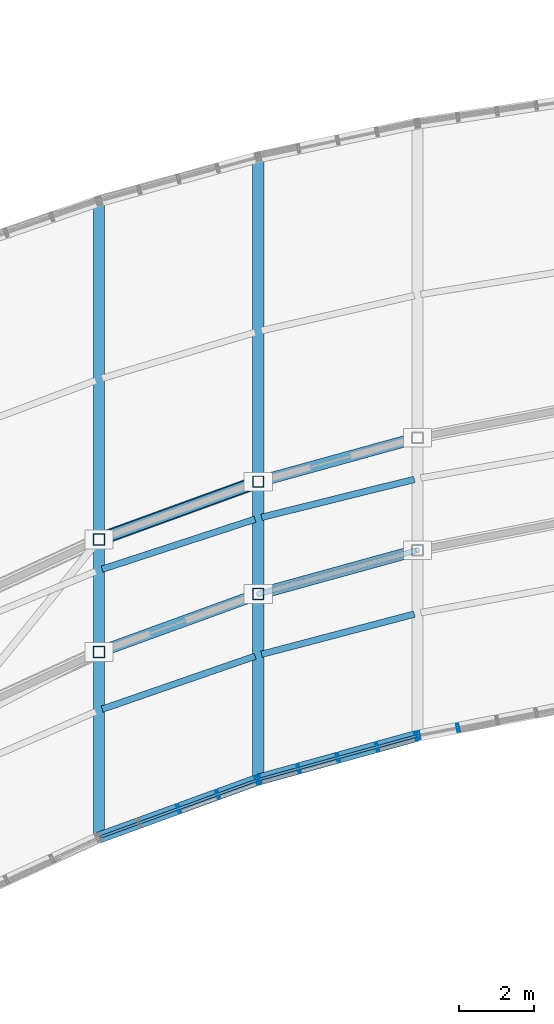
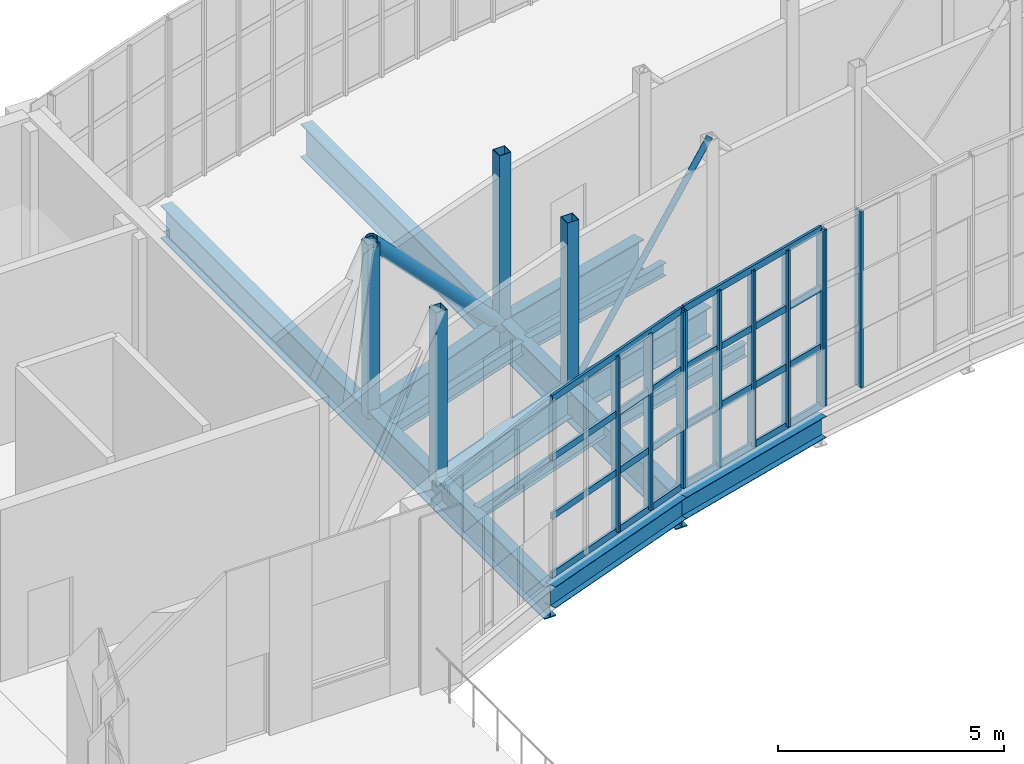
# One storey, part 35 of 86: 24 members, 12 beams, 3 elements without a shape of their own.
"""IFC4 building model written with IfcOpenShell, lengths in metres."""

from ifc_helpers import new_model, si_unit, direction, frame, origin, origin_2d, place, context, subcontext, project, spatial, hollow_rectangle, hollow_circle, i_section, extrude, material, material_profile, profile_set, type_object, element, aggregate, save


model = new_model("IFC4")

# Units and contexts
model_context = context("Model", 3, precision=1e-05, world=origin(), true_north=direction((0.0, 1.0)))
body_context = subcontext(model_context, "Body", "Model", "MODEL_VIEW")
ifc_project = project(units=[si_unit("LENGTHUNIT", "METRE"), si_unit("AREAUNIT", "SQUARE_METRE"), si_unit("VOLUMEUNIT", "CUBIC_METRE"), si_unit("PLANEANGLEUNIT", "RADIAN"), si_unit("MASSUNIT", "GRAM", prefix="KILO")], contexts=[model_context])

# Site, building, storey
site_placement = place(None, origin())
site = spatial("IfcSite", under=ifc_project, at=site_placement, CompositionType="ELEMENT")
building_placement = place(site_placement, origin())
building = spatial("IfcBuilding", under=site, at=building_placement, Name="Solvikara Media Centre", CompositionType="ELEMENT")
storey_placement = place(building_placement, frame((0.0, 0.0, 15.0)))
storey = spatial("IfcBuildingStorey", under=building, at=storey_placement, Name="L03", CompositionType="ELEMENT", Elevation=15.0)

# Beams
ifc_material_1 = material(Name="Steel S355JR", Category="steel")
ifc_material_profile_1 = material_profile(ifc_material_1, i_section(OverallWidth=0.300048828125, OverallDepth=0.89990234375, WebThickness=0.01611328125, FlangeThickness=0.028076171875, at=origin_2d()), Name="WF 900x300x16x28")
ifc_profile_set_1 = profile_set([ifc_material_profile_1], Name="Steel S355JR")
beam_type_1 = type_object("IfcBeamType", Name="BM-15", PredefinedType="BEAM", material=ifc_profile_set_1)
beam_1_placement = place(storey_placement, frame((80.75, 21.279052734375, -0.672119140625), z_axis=(0.0, 1.0, 0.0), x_axis=(-1.0, 0.0, 0.0)))
element("IfcBeam", 1, at=beam_1_placement, inside=storey, type_object=beam_type_1, Name="BG-L03-NS-01", PredefinedType="BEAM", context=body_context, shape_type="SweptSolid", body=[
    extrude(i_section(OverallWidth=0.300048828125, OverallDepth=0.89990234375, WebThickness=0.01611328125, FlangeThickness=0.028076171875, at=origin_2d()), origin(), (0.0, 0.0, 1.0), 16.98095703125),
])
beam_2_placement = place(storey_placement, frame((85.0, 22.823974609375, -0.672119140625), z_axis=(0.0, 1.0, 0.0), x_axis=(-1.0, 0.0, 0.0)))
element("IfcBeam", 2, at=beam_2_placement, inside=storey, type_object=beam_type_1, Name="BG-L03-NS-02", PredefinedType="BEAM", context=body_context, shape_type="SweptSolid", body=[
    extrude(i_section(OverallWidth=0.300048828125, OverallDepth=0.89990234375, WebThickness=0.01611328125, FlangeThickness=0.028076171875, at=origin_2d()), origin(), (0.0, 0.0, 1.0), 16.60693359375),
])
ifc_material_profile_2 = material_profile(ifc_material_1, i_section(OverallWidth=0.300048828125, OverallDepth=0.800048828125, WebThickness=0.013916015625, FlangeThickness=0.02587890625, at=origin_2d()), Name="WF 800x300x14x26")
ifc_profile_set_2 = profile_set([ifc_material_profile_2], Name="Steel S355JR")
beam_type_2 = type_object("IfcBeamType", Name="BM-16", PredefinedType="BEAM", material=ifc_profile_set_2)
for number, where, z_axis, x_axis, name in (
    (3, (80.8349609375, 26.260009765625, -0.6220703125), (0.939849238439, 0.341589532927, 0.0), (-0.341589532927, 0.939849238439, 0.0), "B-L03-SPNS-01"),
    (4, (80.8349609375, 29.260009765625, -0.6220703125), (0.939849238439, 0.341589532927, 0.0), (-0.341589532927, 0.939849238439, 0.0), "B-L03-SPNN-01"),
):
    element("IfcBeam", number, at=place(storey_placement, frame(where, z_axis=z_axis, x_axis=x_axis)), inside=storey, type_object=beam_type_2, Name=name, PredefinedType="BEAM", context=body_context, shape_type="SweptSolid", body=[
        extrude(i_section(OverallWidth=0.300048828125, OverallDepth=0.800048828125, WebThickness=0.013916015625, FlangeThickness=0.02587890625, at=origin_2d()), origin(), (0.0, 0.0, 1.0), 4.34130859375),
    ])
for number, where, z_axis, x_axis, name in (
    (5, (85.0869140625, 27.798095703125, -0.6220703125), (0.964019154447, 0.265832785522, 0.0), (-0.265832785522, 0.964019154447, 0.0), "B-L03-SPNS-02"),
    (6, (85.0869140625, 30.798095703125, -0.6220703125), (0.964019154447, 0.265832785522, 0.0), (-0.265832785522, 0.964019154447, 0.0), "B-L03-SPNN-02"),
):
    element("IfcBeam", number, at=place(storey_placement, frame(where, z_axis=z_axis, x_axis=x_axis)), inside=storey, type_object=beam_type_2, Name=name, PredefinedType="BEAM", context=body_context, shape_type="SweptSolid", body=[
        extrude(i_section(OverallWidth=0.300048828125, OverallDepth=0.800048828125, WebThickness=0.013916015625, FlangeThickness=0.02587890625, at=origin_2d()), origin(), (0.0, 0.0, 1.0), 4.228271484375),
    ])
ifc_material_profile_3 = material_profile(ifc_material_1, i_section(OverallWidth=0.175048828125, OverallDepth=0.35009765625, WebThickness=0.007080078125, FlangeThickness=0.010986328125, at=origin_2d()), Name="WF 350x175x7x11")
ifc_profile_set_3 = profile_set([ifc_material_profile_3], Name="Steel S355JR")
beam_type_3 = type_object("IfcBeamType", Name="BM-22", PredefinedType="JOIST", material=ifc_profile_set_3)
beam_3_placement = place(storey_placement, frame((80.8349609375, 24.7041015625, -0.39697265625), z_axis=(0.945019683137, 0.327013453063, 0.0), x_axis=(-0.327013453063, 0.945019683137, 0.0)))
element("IfcBeam", 7, at=beam_3_placement, inside=storey, type_object=beam_type_3, Name="BJ-L03-01-20", PredefinedType="JOIST", context=body_context, shape_type="SweptSolid", body=[
    extrude(i_section(OverallWidth=0.175048828125, OverallDepth=0.35009765625, WebThickness=0.007080078125, FlangeThickness=0.010986328125, at=origin_2d()), origin(), (0.0, 0.0, 1.0), 4.3173828125),
])
beam_4_placement = place(storey_placement, frame((80.8359375, 28.43896484375, -0.39697265625), z_axis=(0.950578037944, 0.310485738447, 0.0), x_axis=(-0.310485738447, 0.950578037944, 0.0)))
element("IfcBeam", 8, at=beam_4_placement, inside=storey, type_object=beam_type_3, Name="BJ-L03-01-42", PredefinedType="JOIST", context=body_context, shape_type="SweptSolid", body=[
    extrude(i_section(OverallWidth=0.175048828125, OverallDepth=0.35009765625, WebThickness=0.007080078125, FlangeThickness=0.010986328125, at=origin_2d()), origin(), (0.0, 0.0, 1.0), 4.2900390625),
])
beam_5_placement = place(storey_placement, frame((85.0869140625, 26.16796875, -0.39697265625), z_axis=(0.967112792727, 0.254347884096, 0.0), x_axis=(-0.254347884096, 0.967112792727, 0.0)))
element("IfcBeam", 9, at=beam_5_placement, inside=storey, type_object=beam_type_3, Name="BJ-L03-02-20", PredefinedType="JOIST", context=body_context, shape_type="SweptSolid", body=[
    extrude(i_section(OverallWidth=0.175048828125, OverallDepth=0.35009765625, WebThickness=0.007080078125, FlangeThickness=0.010986328125, at=origin_2d()), origin(), (0.0, 0.0, 1.0), 4.21484375),
])
beam_6_placement = place(storey_placement, frame((85.0869140625, 29.821044921875, -0.39697265625), z_axis=(0.970483457867, 0.241167696855, 0.0), x_axis=(-0.241167696855, 0.970483457867, 0.0)))
element("IfcBeam", 10, at=beam_6_placement, inside=storey, type_object=beam_type_3, Name="BJ-L03-02-42", PredefinedType="JOIST", context=body_context, shape_type="SweptSolid", body=[
    extrude(i_section(OverallWidth=0.175048828125, OverallDepth=0.35009765625, WebThickness=0.007080078125, FlangeThickness=0.010986328125, at=origin_2d()), origin(), (0.0, 0.0, 1.0), 4.2001953125),
])
ifc_material_profile_4 = material_profile(ifc_material_1, i_section(OverallWidth=0.300048828125, OverallDepth=0.58203125, WebThickness=0.011962890625, FlangeThickness=0.01708984375, at=origin_2d()), Name="WF 582x300x12x17")
ifc_profile_set_4 = profile_set([ifc_material_profile_4], Name="Steel S355JR")
beam_type_4 = type_object("IfcBeamType", Name="BM-31", PredefinedType="SPANDREL", material=ifc_profile_set_4)
beam_7_placement = place(storey_placement, frame((80.75, 21.279052734375, -0.512939453125), z_axis=(0.939831249065, 0.341639024821, 0.0), x_axis=(-0.341639024821, 0.939831249065, 0.0)))
element("IfcBeam", 11, at=beam_7_placement, inside=storey, type_object=beam_type_4, Name="B-L03-SARC-01", PredefinedType="SPANDREL", context=body_context, shape_type="SweptSolid", body=[
    extrude(i_section(OverallWidth=0.300048828125, OverallDepth=0.58203125, WebThickness=0.011962890625, FlangeThickness=0.01708984375, at=origin_2d()), origin(), (0.0, 0.0, 1.0), 4.52197265625),
])
beam_8_placement = place(storey_placement, frame((85.0, 22.823974609375, -0.512939453125), z_axis=(0.964009749544, 0.265866889221, 0.0), x_axis=(-0.265866889221, 0.964009749544, 0.0)))
element("IfcBeam", 12, at=beam_8_placement, inside=storey, type_object=beam_type_4, Name="B-L03-SARC-02", PredefinedType="SPANDREL", context=body_context, shape_type="SweptSolid", body=[
    extrude(i_section(OverallWidth=0.300048828125, OverallDepth=0.58203125, WebThickness=0.011962890625, FlangeThickness=0.01708984375, at=origin_2d()), origin(), (0.0, 0.0, 1.0), 4.40869140625),
])

# Members
ifc_material_profile_5 = material_profile(ifc_material_1, hollow_circle(Radius=0.177734375, WallThickness=0.012451171875, at=origin_2d()), Name="CHS 355.6x12.5")
ifc_profile_set_5 = profile_set([ifc_material_profile_5], Name="Steel S355JR")
member_type_1 = type_object("IfcMemberType", Name="MB-01", PredefinedType="CHORD", material=ifc_profile_set_5)
member_1_placement = place(storey_placement, frame((80.75, 29.22900390625, 4.25), z_axis=(0.651622673154, 0.236872028706, -0.720610528544), x_axis=(-0.341639024821, 0.939831249065, 0.0)))
element("IfcMember", 13, at=member_1_placement, inside=storey, type_object=member_type_1, Name="WTR-L03-N-DB01", PredefinedType="CHORD", context=body_context, shape_type="SweptSolid", body=[
    extrude(hollow_circle(Radius=0.177734375, WallThickness=0.012451171875, at=origin_2d()), origin(), (0.0, 0.0, 1.0), 6.522216796875),
])
ifc_material_profile_6 = material_profile(ifc_material_1, hollow_rectangle(XDim=0.300048828125, YDim=0.300048828125, WallThickness=0.012451171875, at=origin_2d()), Name="RHS 300x300x12.5")
ifc_profile_set_6 = profile_set([ifc_material_profile_6], Name="Steel S355JR")
member_type_2 = type_object("IfcMemberType", Name="MB-11", PredefinedType="CHORD", material=ifc_profile_set_6)
for number, where, z_axis, x_axis, name in (
    (14, (80.75, 26.22900390625, -0.449951171875), (0.0, 0.0, 1.0), (1.0, 0.0, 0.0), "WTR-L03-S-V01"),
    (15, (85.0, 27.77392578125, -0.449951171875), (0.0, 0.0, 1.0), (1.0, 0.0, 0.0), "WTR-L03-S-V02"),
    (16, (80.75, 29.22900390625, -0.449951171875), (0.0, 0.0, 1.0), (1.0, 0.0, 0.0), "WTR-L03-N-V01"),
    (17, (85.0, 30.77392578125, -0.449951171875), (0.0, 0.0, 1.0), (1.0, 0.0, 0.0), "WTR-L03-N-V02"),
):
    element("IfcMember", number, at=place(storey_placement, frame(where, z_axis=z_axis, x_axis=x_axis)), inside=storey, type_object=member_type_2, Name=name, PredefinedType="CHORD", context=body_context, shape_type="SweptSolid", body=[
        extrude(hollow_rectangle(XDim=0.300048828125, YDim=0.300048828125, WallThickness=0.012451171875, at=origin_2d()), origin(), (0.0, 0.0, 1.0), 4.699951171875),
    ])
ifc_material_profile_7 = material_profile(ifc_material_1, hollow_circle(Radius=0.076171875, WallThickness=0.00634765625, at=origin_2d()), Name="CHS 152.4x6.3")
ifc_profile_set_7 = profile_set([ifc_material_profile_7], Name="Steel S355JR")
member_type_3 = type_object("IfcMemberType", Name="MB-29", PredefinedType="BRACE", material=ifc_profile_set_7)
member_2_placement = place(storey_placement, frame((85.0, 27.77392578125, -0.449951171875), z_axis=(0.659522142118, 0.181891417986, 0.729346321112), x_axis=(-0.265866889221, 0.964009749544, 0.0)))
element("IfcMember", 18, at=member_2_placement, inside=storey, type_object=member_type_3, Name="WTR-L03-S-DA02", PredefinedType="BRACE", context=body_context, shape_type="SweptSolid", body=[
    extrude(hollow_circle(Radius=0.076171875, WallThickness=0.00634765625, at=origin_2d()), origin(), (0.0, 0.0, 1.0), 6.444091796875),
])

# Curtain wall, members
ifc_material_2 = material(Name="Anodised aluminium EN AW-6063", Category="aluminium")
curtain_wall_type = type_object("IfcCurtainWallType", Name="CW-01", PredefinedType="NOTDEFINED", material=ifc_material_2)
curtain_wall_1_placement = place(storey_placement, origin())
curtain_wall_1 = element("IfcCurtainWall", 19, at=curtain_wall_1_placement, inside=storey, type_object=curtain_wall_type, Name="CW-L03-SARC-01", PredefinedType="NOTDEFINED")
ifc_material_profile_8 = material_profile(ifc_material_2, hollow_rectangle(XDim=0.06494140625, YDim=0.219970703125, WallThickness=0.00390625, at=origin_2d()), Name="ALU-M 65x220x4")
ifc_profile_set_8 = profile_set([ifc_material_profile_8], Name="Anodised aluminium EN AW-6063")
member_type_4 = type_object("IfcMemberType", Name="MF-01", PredefinedType="MULLION", material=ifc_profile_set_8)
member_3_placement = place(storey_placement, frame((82.875, 22.052001953125, 0.02001953125), z_axis=(0.0, 0.0, 1.0), x_axis=(0.939823877818, 0.341659302058, 0.0)))
member_3 = element("IfcMember", 20, at=member_3_placement, type_object=member_type_4, Name="CW-L03-SARC-01-M02", PredefinedType="MULLION", context=body_context, shape_type="SweptSolid", body=[
    extrude(hollow_rectangle(XDim=0.06494140625, YDim=0.219970703125, WallThickness=0.00390625, at=origin_2d()), origin(), (0.0, 0.0, 1.0), 4.760009765625),
])
member_4_placement = place(storey_placement, frame((83.9208984375, 22.431884765625, 0.02001953125), z_axis=(0.0, 0.0, 1.0), x_axis=(0.939823877818, 0.341659302058, 0.0)))
member_4 = element("IfcMember", 21, at=member_4_placement, type_object=member_type_4, Name="CW-L03-SARC-01-M03", PredefinedType="MULLION", context=body_context, shape_type="SweptSolid", body=[
    extrude(hollow_rectangle(XDim=0.06494140625, YDim=0.219970703125, WallThickness=0.00390625, at=origin_2d()), origin(), (0.0, 0.0, 1.0), 4.760009765625),
])
member_5_placement = place(storey_placement, frame((84.967041015625, 22.81201171875, 0.02001953125), z_axis=(0.0, 0.0, 1.0), x_axis=(0.939823877818, 0.341659302058, 0.0)))
member_5 = element("IfcMember", 22, at=member_5_placement, type_object=member_type_4, Name="CW-L03-SARC-01-M04", PredefinedType="MULLION", context=body_context, shape_type="SweptSolid", body=[
    extrude(hollow_rectangle(XDim=0.06494140625, YDim=0.219970703125, WallThickness=0.00390625, at=origin_2d()), origin(), (0.0, 0.0, 1.0), 4.760009765625),
])

curtain_wall_2_placement = place(storey_placement, origin())
curtain_wall_2 = element("IfcCurtainWall", 23, at=curtain_wall_2_placement, inside=storey, type_object=curtain_wall_type, Name="CW-L03-SARC-02", PredefinedType="NOTDEFINED")
member_6_placement = place(storey_placement, frame((85.033935546875, 22.8330078125, 0.02001953125), z_axis=(0.0, 0.0, 1.0), x_axis=(0.96397015682, 0.26601040724, 0.0)))
member_6 = element("IfcMember", 24, at=member_6_placement, type_object=member_type_4, Name="CW-L03-SARC-02-M00", PredefinedType="MULLION", context=body_context, shape_type="SweptSolid", body=[
    extrude(hollow_rectangle(XDim=0.06494140625, YDim=0.219970703125, WallThickness=0.00390625, at=origin_2d()), origin(), (0.0, 0.0, 1.0), 4.760009765625),
])
member_7_placement = place(storey_placement, frame((86.080078125, 23.1220703125, 0.02001953125), z_axis=(0.0, 0.0, 1.0), x_axis=(0.96397015682, 0.26601040724, 0.0)))
member_7 = element("IfcMember", 25, at=member_7_placement, type_object=member_type_4, Name="CW-L03-SARC-02-M01", PredefinedType="MULLION", context=body_context, shape_type="SweptSolid", body=[
    extrude(hollow_rectangle(XDim=0.06494140625, YDim=0.219970703125, WallThickness=0.00390625, at=origin_2d()), origin(), (0.0, 0.0, 1.0), 4.760009765625),
])
member_8_placement = place(storey_placement, frame((87.125, 23.409912109375, 0.02001953125), z_axis=(0.0, 0.0, 1.0), x_axis=(0.96397015682, 0.26601040724, 0.0)))
member_8 = element("IfcMember", 26, at=member_8_placement, type_object=member_type_4, Name="CW-L03-SARC-02-M02", PredefinedType="MULLION", context=body_context, shape_type="SweptSolid", body=[
    extrude(hollow_rectangle(XDim=0.06494140625, YDim=0.219970703125, WallThickness=0.00390625, at=origin_2d()), origin(), (0.0, 0.0, 1.0), 4.760009765625),
])
member_9_placement = place(storey_placement, frame((88.1708984375, 23.698974609375, 0.02001953125), z_axis=(0.0, 0.0, 1.0), x_axis=(0.96397015682, 0.26601040724, 0.0)))
member_9 = element("IfcMember", 27, at=member_9_placement, type_object=member_type_4, Name="CW-L03-SARC-02-M03", PredefinedType="MULLION", context=body_context, shape_type="SweptSolid", body=[
    extrude(hollow_rectangle(XDim=0.06494140625, YDim=0.219970703125, WallThickness=0.00390625, at=origin_2d()), origin(), (0.0, 0.0, 1.0), 4.760009765625),
])
member_10_placement = place(storey_placement, frame((89.216064453125, 23.987060546875, 0.02001953125), z_axis=(0.0, 0.0, 1.0), x_axis=(0.96397015682, 0.26601040724, 0.0)))
member_10 = element("IfcMember", 28, at=member_10_placement, type_object=member_type_4, Name="CW-L03-SARC-02-M04", PredefinedType="MULLION", context=body_context, shape_type="SweptSolid", body=[
    extrude(hollow_rectangle(XDim=0.06494140625, YDim=0.219970703125, WallThickness=0.00390625, at=origin_2d()), origin(), (0.0, 0.0, 1.0), 4.760009765625),
])

curtain_wall_3_placement = place(storey_placement, origin())
curtain_wall_3 = element("IfcCurtainWall", 29, at=curtain_wall_3_placement, inside=storey, type_object=curtain_wall_type, Name="CW-L03-SARC-03", PredefinedType="NOTDEFINED")
member_11_placement = place(storey_placement, frame((89.283935546875, 24.0029296875, 0.02001953125), z_axis=(0.0, 0.0, 1.0), x_axis=(0.981843017659, 0.189695252114, 0.0)))
member_11 = element("IfcMember", 30, at=member_11_placement, type_object=member_type_4, Name="CW-L03-SARC-03-M00", PredefinedType="MULLION", context=body_context, shape_type="SweptSolid", body=[
    extrude(hollow_rectangle(XDim=0.06494140625, YDim=0.219970703125, WallThickness=0.00390625, at=origin_2d()), origin(), (0.0, 0.0, 1.0), 4.760009765625),
])
member_12_placement = place(storey_placement, frame((90.330078125, 24.205078125, 0.02001953125), z_axis=(0.0, 0.0, 1.0), x_axis=(0.981843017659, 0.189695252114, 0.0)))
member_12 = element("IfcMember", 31, at=member_12_placement, type_object=member_type_4, Name="CW-L03-SARC-03-M01", PredefinedType="MULLION", context=body_context, shape_type="SweptSolid", body=[
    extrude(hollow_rectangle(XDim=0.06494140625, YDim=0.219970703125, WallThickness=0.00390625, at=origin_2d()), origin(), (0.0, 0.0, 1.0), 4.760009765625),
])
aggregate(curtain_wall_3, [member_11, member_12])

# Member
ifc_material_profile_9 = material_profile(ifc_material_2, hollow_rectangle(XDim=0.06494140625, YDim=0.179931640625, WallThickness=0.00341796875, at=origin_2d()), Name="ALU-T 65x180x3.5")
ifc_profile_set_9 = profile_set([ifc_material_profile_9], Name="Anodised aluminium EN AW-6063")
member_type_5 = type_object("IfcMemberType", Name="MF-07", PredefinedType="USERDEFINED", material=ifc_profile_set_9)
member_13_placement = place(storey_placement, frame((80.782958984375, 21.291015625, 0.02001953125), z_axis=(0.939828643467, 0.341646192601, 0.0), x_axis=(-0.341646192601, 0.939828643467, 0.0)))
member_13 = element("IfcMember", 32, at=member_13_placement, type_object=member_type_5, Name="CW-L03-SARC-01-T00", ObjectType="TRANSOM", PredefinedType="USERDEFINED", context=body_context, shape_type="SweptSolid", body=[
    extrude(hollow_rectangle(XDim=0.06494140625, YDim=0.179931640625, WallThickness=0.00341796875, at=origin_2d()), origin(), (0.0, 0.0, 1.0), 4.451904296875),
])

member_14_placement = place(storey_placement, frame((80.782958984375, 21.291015625, 1.60693359375), z_axis=(0.939828643467, 0.341646192601, 0.0), x_axis=(-0.341646192601, 0.939828643467, 0.0)))
member_14 = element("IfcMember", 33, at=member_14_placement, type_object=member_type_5, Name="CW-L03-SARC-01-T01", ObjectType="TRANSOM", PredefinedType="USERDEFINED", context=body_context, shape_type="SweptSolid", body=[
    extrude(hollow_rectangle(XDim=0.06494140625, YDim=0.179931640625, WallThickness=0.00341796875, at=origin_2d()), origin(), (0.0, 0.0, 1.0), 4.451904296875),
])

member_15_placement = place(storey_placement, frame((80.782958984375, 21.291015625, 3.193115234375), z_axis=(0.939828643467, 0.341646192601, 0.0), x_axis=(-0.341646192601, 0.939828643467, 0.0)))
member_15 = element("IfcMember", 34, at=member_15_placement, type_object=member_type_5, Name="CW-L03-SARC-01-T02", ObjectType="TRANSOM", PredefinedType="USERDEFINED", context=body_context, shape_type="SweptSolid", body=[
    extrude(hollow_rectangle(XDim=0.06494140625, YDim=0.179931640625, WallThickness=0.00341796875, at=origin_2d()), origin(), (0.0, 0.0, 1.0), 4.451904296875),
])

member_16_placement = place(storey_placement, frame((80.782958984375, 21.291015625, 4.780029296875), z_axis=(0.939828643467, 0.341646192601, 0.0), x_axis=(-0.341646192601, 0.939828643467, 0.0)))
member_16 = element("IfcMember", 35, at=member_16_placement, type_object=member_type_5, Name="CW-L03-SARC-01-T03", ObjectType="TRANSOM", PredefinedType="USERDEFINED", context=body_context, shape_type="SweptSolid", body=[
    extrude(hollow_rectangle(XDim=0.06494140625, YDim=0.179931640625, WallThickness=0.00341796875, at=origin_2d()), origin(), (0.0, 0.0, 1.0), 4.451904296875),
])

aggregate(curtain_wall_1, [member_3, member_4, member_5, member_13, member_14, member_15, member_16])

member_17_placement = place(storey_placement, frame((85.033935546875, 22.8330078125, 0.02001953125), z_axis=(0.963971224803, 0.266006537049, 0.0), x_axis=(-0.266006537049, 0.963971224803, 0.0)))
member_17 = element("IfcMember", 36, at=member_17_placement, type_object=member_type_5, Name="CW-L03-SARC-02-T00", ObjectType="TRANSOM", PredefinedType="USERDEFINED", context=body_context, shape_type="SweptSolid", body=[
    extrude(hollow_rectangle(XDim=0.06494140625, YDim=0.179931640625, WallThickness=0.00341796875, at=origin_2d()), origin(), (0.0, 0.0, 1.0), 4.33837890625),
])

member_18_placement = place(storey_placement, frame((85.033935546875, 22.8330078125, 1.60693359375), z_axis=(0.963971224803, 0.266006537049, 0.0), x_axis=(-0.266006537049, 0.963971224803, 0.0)))
member_18 = element("IfcMember", 37, at=member_18_placement, type_object=member_type_5, Name="CW-L03-SARC-02-T01", ObjectType="TRANSOM", PredefinedType="USERDEFINED", context=body_context, shape_type="SweptSolid", body=[
    extrude(hollow_rectangle(XDim=0.06494140625, YDim=0.179931640625, WallThickness=0.00341796875, at=origin_2d()), origin(), (0.0, 0.0, 1.0), 4.33837890625),
])

member_19_placement = place(storey_placement, frame((85.033935546875, 22.8330078125, 3.193115234375), z_axis=(0.963971224803, 0.266006537049, 0.0), x_axis=(-0.266006537049, 0.963971224803, 0.0)))
member_19 = element("IfcMember", 38, at=member_19_placement, type_object=member_type_5, Name="CW-L03-SARC-02-T02", ObjectType="TRANSOM", PredefinedType="USERDEFINED", context=body_context, shape_type="SweptSolid", body=[
    extrude(hollow_rectangle(XDim=0.06494140625, YDim=0.179931640625, WallThickness=0.00341796875, at=origin_2d()), origin(), (0.0, 0.0, 1.0), 4.33837890625),
])

member_20_placement = place(storey_placement, frame((85.033935546875, 22.8330078125, 4.780029296875), z_axis=(0.963971224803, 0.266006537049, 0.0), x_axis=(-0.266006537049, 0.963971224803, 0.0)))
member_20 = element("IfcMember", 39, at=member_20_placement, type_object=member_type_5, Name="CW-L03-SARC-02-T03", ObjectType="TRANSOM", PredefinedType="USERDEFINED", context=body_context, shape_type="SweptSolid", body=[
    extrude(hollow_rectangle(XDim=0.06494140625, YDim=0.179931640625, WallThickness=0.00341796875, at=origin_2d()), origin(), (0.0, 0.0, 1.0), 4.33837890625),
])

aggregate(curtain_wall_2, [member_6, member_7, member_8, member_9, member_10, member_17, member_18, member_19, member_20])

save(model, "model.ifc")
